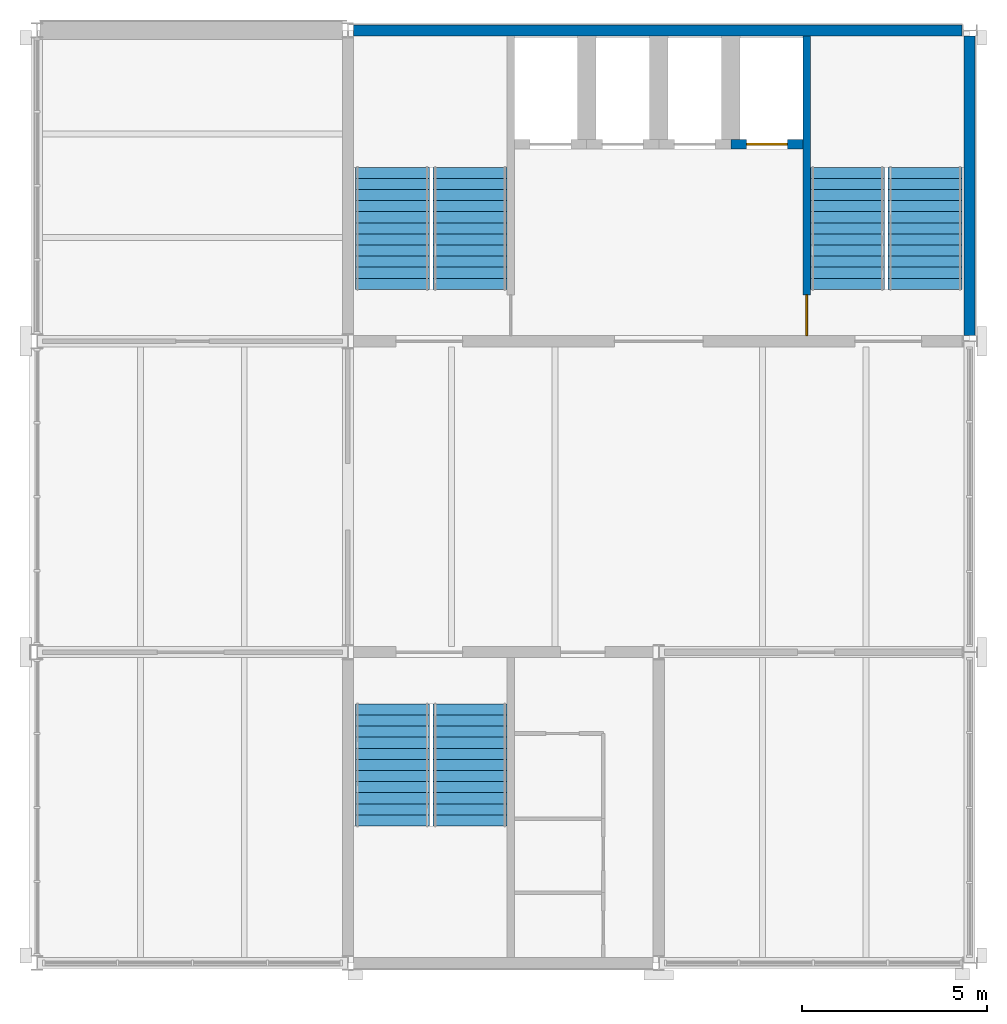
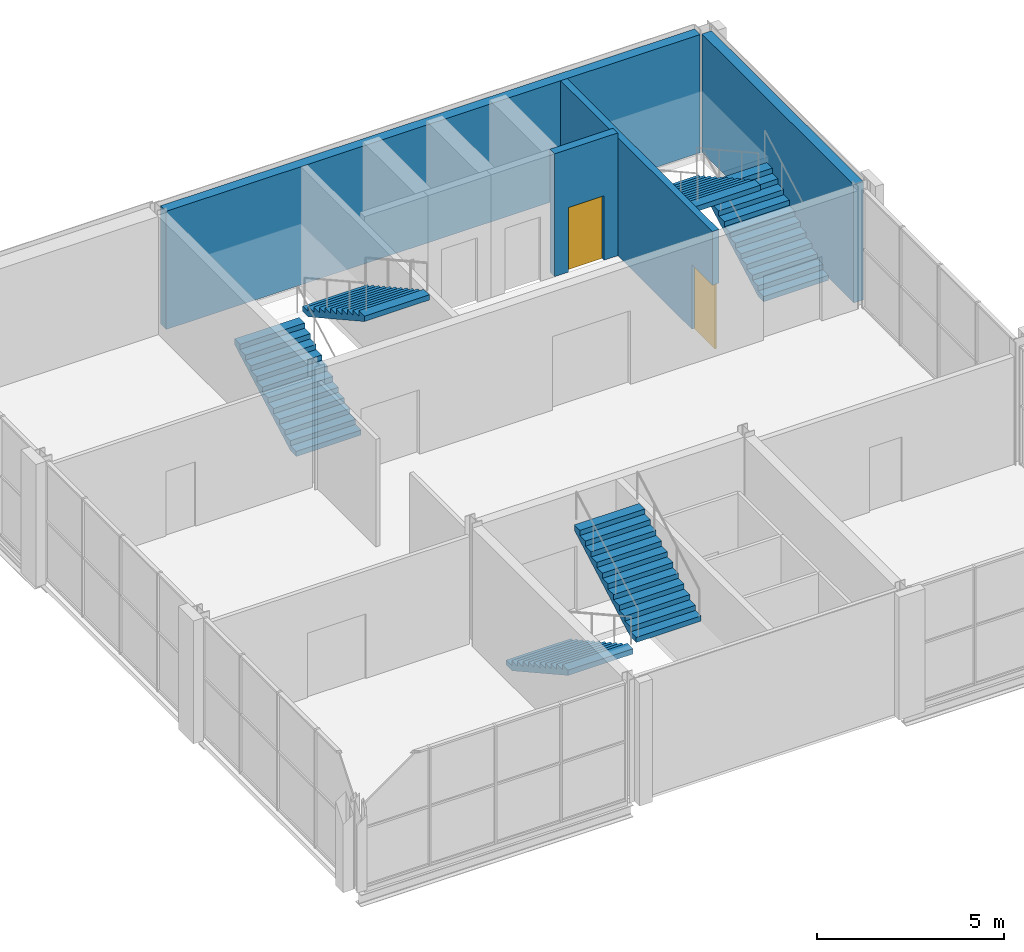
# One storey, part 7 of 8: 6 stair flights, 4 walls, 2 doors, 2 openings, 3 elements without a shape of their own.
"""IFC4 building model written with IfcOpenShell, lengths in metres."""

import ifcopenshell
import ifcopenshell.guid

model = None  # the IFC model being written
_history = None  # IfcOwnerHistory: only IFC2X3 demands one
_inside = {}  # id of a spatial element -> (the spatial element, [elements in it])
_under = {}  # id of a project, library or spatial element -> (it, [spatial elements below it])
_declared = {}  # id of a project -> (the project, [libraries it declares])
_typed = {}  # id of a type object -> (the type object, [elements of that type])
_made_of = {}  # id of a material, layer set ... -> (it, [elements and type objects made of it])


def new_model(schema):
    """Start an empty IFC model of exactly this schema.

    Asked for "IFC4X3", IfcOpenShell would pick the latest addendum, in which some entities
    have other attributes; the version numbers below select the first issue.
    IFC2X3 requires an IfcOwnerHistory on every rooted entity: one is made here for all.
    """
    global model, _history
    if schema == "IFC4X3":
        model = ifcopenshell.file(schema_version=(4, 3, 0, 0))
    else:
        model = ifcopenshell.file(schema=schema)
    _inside.clear()
    _under.clear()
    _declared.clear()
    _typed.clear()
    _made_of.clear()
    _history = None
    if model.schema == "IFC2X3":
        org = make("IfcOrganization", Name="unknown")
        user = make(
            "IfcPersonAndOrganization",
            ThePerson=make("IfcPerson", FamilyName="unknown"),
            TheOrganization=org,
        )
        app = make(
            "IfcApplication",
            ApplicationDeveloper=org,
            Version="unknown",
            ApplicationFullName="unknown",
            ApplicationIdentifier="unknown",
        )
        _history = make(
            "IfcOwnerHistory",
            OwningUser=user,
            OwningApplication=app,
            ChangeAction="ADDED",
            CreationDate=0,
        )
    return model


def make(cls, **values):
    """One entity of the class cls with the attributes given. An attribute that is None is left unset."""
    return model.create_entity(
        cls, **{name: value for name, value in values.items() if value is not None}
    )


def rooted(cls, **values):
    """An entity with a GlobalId (a new one), such as an element, a storey or a relation."""
    return make(cls, GlobalId=ifcopenshell.guid.new(), OwnerHistory=_history, **values)


def si_unit(unit_type, name, prefix=None):
    """IfcSIUnit, for example si_unit("LENGTHUNIT", "METRE", prefix="MILLI")."""
    return make("IfcSIUnit", UnitType=unit_type, Prefix=prefix, Name=name)


def assignment(units):
    """IfcUnitAssignment: the units of a project."""
    return None if units is None else make("IfcUnitAssignment", Units=units)


def point(xyz):
    """IfcCartesianPoint."""
    return None if xyz is None else make("IfcCartesianPoint", Coordinates=xyz)


def direction(xyz):
    """IfcDirection."""
    return None if xyz is None else make("IfcDirection", DirectionRatios=xyz)


def frame(location, z_axis=None, x_axis=None):
    """IfcAxis2Placement3D, a coordinate frame: its origin and axes. An axis left out is left unset."""
    return make(
        "IfcAxis2Placement3D",
        Location=point(location),
        Axis=direction(z_axis),
        RefDirection=direction(x_axis),
    )


def frame_2d(location, x_axis=None):
    """IfcAxis2Placement2D, a coordinate frame in the plane: its origin and x axis."""
    return make(
        "IfcAxis2Placement2D", Location=point(location), RefDirection=direction(x_axis)
    )


def origin():
    """The frame at (0, 0, 0) with its axes left unset."""
    return frame((0.0, 0.0, 0.0))


def place(relative_to, where):
    """IfcLocalPlacement: puts the frame where relative to a parent placement (None: the world)."""
    return make(
        "IfcLocalPlacement", PlacementRelTo=relative_to, RelativePlacement=where
    )


def context(
    kind, dimensions, precision=None, world=None, true_north=None, identifier=None
):
    """IfcGeometricRepresentationContext, for example the 3D "Model" context."""
    return make(
        "IfcGeometricRepresentationContext",
        ContextIdentifier=identifier,
        ContextType=kind,
        CoordinateSpaceDimension=dimensions,
        Precision=precision,
        WorldCoordinateSystem=world,
        TrueNorth=true_north,
    )


def subcontext(parent, identifier, kind, view, scale=None):
    """IfcGeometricRepresentationSubContext, for example "Body" below "Model"."""
    return make(
        "IfcGeometricRepresentationSubContext",
        ContextIdentifier=identifier,
        ContextType=kind,
        ParentContext=parent,
        TargetScale=scale,
        TargetView=view,
    )


def project(units=None, contexts=None):
    """IfcProject with its units and contexts."""
    return rooted(
        "IfcProject",
        Name="project",
        RepresentationContexts=contexts,
        UnitsInContext=assignment(units),
    )


def spatial(cls, under=None, at=None, **own):
    """A site, building, storey or space (cls), placed at a placement, below another one or the project."""
    s = rooted(cls, ObjectPlacement=at, **own)
    if under is not None:
        _under.setdefault(under.id(), (under, []))[1].append(s)
    return s


def polyline(points):
    """IfcPolyline through the points."""
    return make("IfcPolyline", Points=[point(p) for p in points])


def profile(cls, at=None, kind="AREA", **sizes):
    """A parametric profile (cls). Its sizes go by their IFC names, for example OverallWidth=200.0."""
    return make(cls, ProfileType=kind, Position=at, **sizes)


def rectangle(**sizes):
    """IfcRectangleProfileDef."""
    return profile("IfcRectangleProfileDef", **sizes)


def outline(outer, holes=None, kind="AREA"):
    """IfcArbitraryClosedProfileDef: a profile drawn as a closed curve; with holes, ...WithVoids."""
    if holes is None:
        return make("IfcArbitraryClosedProfileDef", ProfileType=kind, OuterCurve=outer)
    return make(
        "IfcArbitraryProfileDefWithVoids",
        ProfileType=kind,
        OuterCurve=outer,
        InnerCurves=holes,
    )


def extrude(swept, where, along, depth):
    """IfcExtrudedAreaSolid: the profile swept, set in the frame where, extruded along a direction by depth."""
    return make(
        "IfcExtrudedAreaSolid",
        SweptArea=swept,
        Position=where,
        ExtrudedDirection=direction(along),
        Depth=depth,
    )


def shape(context_of_items, identifier, shape_type, items):
    """IfcShapeRepresentation: the items that make up one representation, for example the "Body"."""
    return make(
        "IfcShapeRepresentation",
        ContextOfItems=context_of_items,
        RepresentationIdentifier=identifier,
        RepresentationType=shape_type,
        Items=items,
    )


def material(Name=None, Category=None):
    """IfcMaterial."""
    return make("IfcMaterial", Name=Name, Category=Category)


def layer(
    of_material, thickness, ventilated=None, Name=None, Category=None, Priority=None
):
    """IfcMaterialLayer: one layer of a wall or slab, of a material (None: an air gap)."""
    return make(
        "IfcMaterialLayer",
        Material=of_material,
        LayerThickness=thickness,
        IsVentilated=ventilated,
        Name=Name,
        Category=Category,
        Priority=Priority,
    )


def layer_set(layers, Name=None):
    """IfcMaterialLayerSet."""
    return make("IfcMaterialLayerSet", MaterialLayers=layers, LayerSetName=Name)


def made_of(thing, what):
    """Note that an element or type object is made of a material, layer set ...; save() writes the relation."""
    if what is not None:
        _made_of.setdefault(what.id(), (what, []))[1].append(thing)
    return thing


def type_object(cls, material=None, **own):
    """A type object (cls), such as IfcWallType, which elements share."""
    return made_of(rooted(cls, **own), material)


def element(
    cls,
    number,
    at=None,
    inside=None,
    cuts=None,
    type_object=None,
    material=None,
    context=None,
    identifier="Body",
    shape_type=None,
    held_by="IfcProductDefinitionShape",
    body=None,
    shapes=None,
    **own,
):
    """One element of the class cls, such as IfcWall. Its Tag is "e" and its number.

    at: its placement. inside: the storey or other place that contains it. cuts: it is an
    opening in that element (IfcRelVoidsElement). A single representation is given by context,
    identifier, shape_type and body (its items); several are given by shapes. held_by: the class
    of the entity that holds the representations. save() writes the other relations.
    """
    e = rooted(cls, Tag="e%d" % number, ObjectPlacement=at, **own)
    if body is not None:
        shapes = [shape(context, identifier, shape_type, body)]
    if shapes is not None:
        e.Representation = make(held_by, Representations=shapes)
    if inside is not None:
        _inside.setdefault(inside.id(), (inside, []))[1].append(e)
    if cuts is not None:
        rooted(
            "IfcRelVoidsElement", RelatingBuildingElement=cuts, RelatedOpeningElement=e
        )
    if type_object is not None:
        _typed.setdefault(type_object.id(), (type_object, []))[1].append(e)
    return made_of(e, material)


def fill(opening, filler):
    """IfcRelFillsElement: the door or window that sits in an opening."""
    return rooted(
        "IfcRelFillsElement",
        RelatingOpeningElement=opening,
        RelatedBuildingElement=filler,
    )


def aggregate(whole, parts):
    """IfcRelAggregates: a whole, such as a stair, and the parts it consists of."""
    return rooted("IfcRelAggregates", RelatingObject=whole, RelatedObjects=parts)


def save(model, path):
    """Write the relations noted so far, then the file.

    IfcRelAggregates (storeys below a building ...), IfcRelContainedInSpatialStructure (elements
    in a storey), IfcRelDefinesByType, IfcRelAssociatesMaterial and IfcRelDeclares: one each for
    every whole, place, type object, material and project.
    """
    for whole, parts in _under.values():
        aggregate(whole, parts)
    for where, things in _inside.values():
        rooted(
            "IfcRelContainedInSpatialStructure",
            RelatedElements=things,
            RelatingStructure=where,
        )
    for kind, things in _typed.values():
        rooted("IfcRelDefinesByType", RelatedObjects=things, RelatingType=kind)
    for what, things in _made_of.values():
        rooted("IfcRelAssociatesMaterial", RelatedObjects=things, RelatingMaterial=what)
    for by, libraries in _declared.values():
        rooted("IfcRelDeclares", RelatingContext=by, RelatedDefinitions=libraries)
    model.write(path)


model = new_model("IFC4")

# Units and contexts
model_context = context("Model", 3, precision=1e-05, world=origin(), true_north=direction((0.0, 1.0)))
body_context = subcontext(model_context, "Body", "Model", "MODEL_VIEW")
ifc_project = project(units=[si_unit("LENGTHUNIT", "METRE"), si_unit("AREAUNIT", "SQUARE_METRE"), si_unit("VOLUMEUNIT", "CUBIC_METRE"), si_unit("PLANEANGLEUNIT", "RADIAN"), si_unit("MASSUNIT", "GRAM", prefix="KILO")], contexts=[model_context])

# Site, building, storey
site_placement = place(None, origin())
site = spatial("IfcSite", under=ifc_project, at=site_placement, CompositionType="ELEMENT")
building_placement = place(site_placement, origin())
building = spatial("IfcBuilding", under=site, at=building_placement, Name="Galleria Vessillo Department Store", CompositionType="ELEMENT")
storey_placement = place(building_placement, frame((0.0, 0.0, 51.60009765625)))
storey = spatial("IfcBuildingStorey", under=building, at=storey_placement, Name="L11", CompositionType="ELEMENT", Elevation=51.60009765625)

# Wall, opening, door
ifc_material_1 = material(Name="Solid clay block masonry", Category="masonry")
ifc_layer_1 = layer(ifc_material_1, 0.25)
ifc_layer_set_1 = layer_set([ifc_layer_1], Name="Solid clay block masonry")
wall_type_1 = type_object("IfcWallType", Name="Lift shaft wall 250 mm", PredefinedType="SOLIDWALL", material=ifc_layer_set_1)
wall_1_placement = place(storey_placement, frame((111.14990234375, 59.925048828125, 0.0), z_axis=(0.0, 0.0, 1.0), x_axis=(1.0, 0.0, 0.0)))
wall_1 = element("IfcWall", 1, at=wall_1_placement, inside=storey, type_object=wall_type_1, Name="Lift shaft wall T4 landing side L11", PredefinedType="SOLIDWALL", context=body_context, shape_type="SweptSolid", body=[
    extrude(rectangle(XDim=1.9501953125, YDim=0.25, at=frame_2d((0.97509765625, 0.0))), origin(), (0.0, 0.0, 1.0), 4.0),
])
opening_1_placement = place(wall_1_placement, frame((0.425048828125, 0.0, 0.0)))
opening_1 = element("IfcOpeningElement", 2, at=opening_1_placement, cuts=wall_1, Name="Opening LD120", PredefinedType="OPENING", context=body_context, shape_type="SweptSolid", body=[
    extrude(rectangle(XDim=1.10009765625, YDim=2.10009765625, at=frame_2d((0.550048828125, 1.050048828125))), frame((0.0, 0.135009765625, 0.0), z_axis=(0.0, -1.0, 0.0), x_axis=(1.0, 0.0, 0.0)), (0.0, 0.0, 1.0), 0.27001953125),
])
ifc_material_2 = material(Name="Stainless steel lift door panel", Category="steel")
door_type_1 = type_object("IfcDoorType", Name="Lift landing door LD110 sliding 1100 x 2100", OperationType="SLIDING_TO_LEFT", PredefinedType="DOOR", material=ifc_material_2)
door_1_placement = place(opening_1_placement, frame((1.10009765625, 0.0, 0.0), z_axis=(0.0, 0.0, 1.0), x_axis=(-1.0, 0.0, 0.0)))
door_1 = element("IfcDoor", 3, at=door_1_placement, inside=storey, type_object=door_type_1, Name="Lift landing door T4 L11", OperationType="SLIDING_TO_LEFT", OverallHeight=2.10009765625, OverallWidth=1.10009765625, PredefinedType="DOOR", context=body_context, shape_type="SweptSolid", body=[
    extrude(rectangle(XDim=1.10009765625, YDim=2.10009765625, at=frame_2d((0.550048828125, 1.050048828125))), frame((0.0, 0.02490234375, 0.0), z_axis=(0.0, -1.0, 0.0), x_axis=(1.0, 0.0, 0.0)), (0.0, 0.0, 1.0), 0.050048828125),
])
fill(opening_1, door_1)

# Walls
ifc_material_3 = material(Name="Concrete C32/40 reinforced", Category="concrete")
ifc_layer_2 = layer(ifc_material_3, 0.300048828125)
ifc_layer_set_2 = layer_set([ifc_layer_2], Name="Concrete C32/40 reinforced")
wall_type_2 = type_object("IfcWallType", Name="Reinforced concrete core wall 300 mm, external", PredefinedType="SHEAR", material=ifc_layer_set_2)
wall_2_placement = place(storey_placement, frame((100.949951171875, 63.0, 0.0), z_axis=(0.0, 0.0, 1.0), x_axis=(1.0, 0.0, 0.0)))
element("IfcWall", 4, at=wall_2_placement, inside=storey, type_object=wall_type_2, Name="S-CW-TC-PARTY-L11", PredefinedType="SHEAR", context=body_context, shape_type="SweptSolid", body=[
    extrude(rectangle(XDim=16.4501953125, YDim=0.300048828125, at=frame_2d((8.22509765625, 0.0))), origin(), (0.0, 0.0, 1.0), 3.85009765625),
])
wall_3_placement = place(storey_placement, frame((117.60009765625, 54.75, 0.0), z_axis=(0.0, 0.0, 1.0), x_axis=(0.0, 1.0, 0.0)))
element("IfcWall", 5, at=wall_3_placement, inside=storey, type_object=wall_type_2, Name="S-CW-TC-EAST-L11", PredefinedType="SHEAR", context=body_context, shape_type="SweptSolid", body=[
    extrude(rectangle(XDim=8.10009765625, YDim=0.300048828125, at=frame_2d((4.050048828125, 0.0))), origin(), (0.0, 0.0, 1.0), 3.85009765625),
])

# Wall, opening, door
ifc_material_4 = material(Name="Concrete C32/40 reinforced", Category="concrete")
ifc_layer_3 = layer(ifc_material_4, 0.199951171875)
ifc_layer_set_3 = layer_set([ifc_layer_3], Name="Concrete C32/40 reinforced")
wall_type_3 = type_object("IfcWallType", Name="Reinforced concrete stair enclosure wall 200 mm", PredefinedType="SHEAR", material=ifc_layer_set_3)
wall_4_placement = place(storey_placement, frame((113.199951171875, 62.85009765625, 0.0), z_axis=(0.0, 0.0, 1.0), x_axis=(0.0, -1.0, 0.0)))
wall_4 = element("IfcWall", 6, at=wall_4_placement, inside=storey, type_object=wall_type_3, Name="Stair enclosure wall TC L11", PredefinedType="SHEAR", context=body_context, shape_type="SweptSolid", body=[
    extrude(rectangle(XDim=8.10009765625, YDim=0.199951171875, at=frame_2d((4.050048828125, 0.0))), origin(), (0.0, 0.0, 1.0), 3.849853515625),
])
opening_2_placement = place(wall_4_placement, frame((7.0, 0.0, 0.0)))
opening_2 = element("IfcOpeningElement", 7, at=opening_2_placement, cuts=wall_4, Name="Opening D5296", PredefinedType="OPENING", context=body_context, shape_type="SweptSolid", body=[
    extrude(rectangle(XDim=1.11009765625, YDim=2.10009765625, at=frame_2d((0.554931640625, 1.050048828125))), frame((0.0, 0.10986328125, 0.0), z_axis=(0.0, -1.0, 0.0), x_axis=(1.0, 0.0, 0.0)), (0.0, 0.0, 1.0), 0.219970703125),
])
ifc_material_5 = material(Name="Fire-rated steel door leaf", Category="steel")
door_type_2 = type_object("IfcDoorType", Name="Door D110F stair door 1100 x 2100", OperationType="SINGLE_SWING_LEFT", PredefinedType="DOOR", material=ifc_material_5)
door_2_placement = place(opening_2_placement, origin())
door_2 = element("IfcDoor", 8, at=door_2_placement, inside=storey, type_object=door_type_2, Name="Stair door TC-ST9-LOBBY L11", OperationType="SINGLE_SWING_RIGHT", OverallHeight=2.10009765625, OverallWidth=1.10009765625, PredefinedType="DOOR", context=body_context, shape_type="SweptSolid", body=[
    extrude(rectangle(XDim=1.10009765625, YDim=2.10009765625, at=frame_2d((0.550048828125, 1.050048828125))), frame((0.0, 0.02490234375, 0.0), z_axis=(0.0, -1.0, 0.0), x_axis=(1.0, 0.0, 0.0)), (0.0, 0.0, 1.0), 0.050048828125),
])
fill(opening_2, door_2)

# Stair, stair flights
ifc_material_6 = material(Name="Concrete C32/40", Category="concrete")
stair_type = type_object("IfcStairType", Name="Half-turn escape stair 2000 mm, 24 risers of 167 mm", PredefinedType="HALF_TURN_STAIR", material=ifc_material_6)
stair_1_placement = place(storey_placement, origin())
stair_1 = element("IfcStair", 9, at=stair_1_placement, inside=storey, type_object=stair_type, Name="Stair ST8 L11", PredefinedType="HALF_TURN_STAIR")
ifc_material_7 = material(Name="Concrete C32/40", Category="concrete")
stair_flight_type = type_object("IfcStairFlightType", Name="Stair flight 2000 mm, 12 risers of 167 mm", PredefinedType="STRAIGHT", material=ifc_material_7)
stair_flight_1_placement = place(storey_placement, frame((102.0, 55.99951171875, 0.0), z_axis=(0.0, 0.0, 1.0), x_axis=(0.0, 1.0, 0.0)))
stair_flight_1 = element("IfcStairFlight", 10, at=stair_flight_1_placement, type_object=stair_flight_type, Name="ST8 flight 1", NumberOfRisers=12, NumberOfTreads=11, PredefinedType="STRAIGHT", RiserHeight=0.166666667, TreadLength=0.3, context=body_context, shape_type="SweptSolid", body=[
    extrude(outline(polyline([(0.0, 0.0), (0.0, 0.166748046875), (0.300048828125, 0.166748046875), (0.300048828125, 0.333251953125), (0.60009765625, 0.333251953125), (0.60009765625, 0.5), (0.89990234375, 0.5), (0.89990234375, 0.666748046875), (1.199951171875, 0.666748046875), (1.199951171875, 0.833251953125), (1.5, 0.833251953125), (1.5, 1.0), (1.800048828125, 1.0), (1.800048828125, 1.166748046875), (2.10009765625, 1.166748046875), (2.10009765625, 1.333251953125), (2.39990234375, 1.333251953125), (2.39990234375, 1.5), (2.699951171875, 1.5), (2.699951171875, 1.666748046875), (3.0, 1.666748046875), (3.0, 1.833251953125), (3.300048828125, 1.833251953125), (3.300048828125, 2.0), (3.300048828125, 1.661865234375), (0.30859375, 0.0), (0.0, 0.0)])), frame((0.0, 1.0, 0.0), z_axis=(0.0, -1.0, 0.0), x_axis=(1.0, 0.0, 0.0)), (0.0, 0.0, 1.0), 2.0),
])
stair_flight_2_placement = place(storey_placement, frame((104.10009765625, 59.299560546875, 2.0), z_axis=(0.0, 0.0, 1.0), x_axis=(0.0, -1.0, 0.0)))
stair_flight_2 = element("IfcStairFlight", 11, at=stair_flight_2_placement, type_object=stair_flight_type, Name="ST8 flight 2", NumberOfRisers=12, NumberOfTreads=11, PredefinedType="STRAIGHT", RiserHeight=0.166666667, TreadLength=0.3, context=body_context, shape_type="SweptSolid", body=[
    extrude(outline(polyline([(0.0, 0.0), (0.0, 0.166748046875), (0.300048828125, 0.166748046875), (0.300048828125, 0.333251953125), (0.60009765625, 0.333251953125), (0.60009765625, 0.5), (0.89990234375, 0.5), (0.89990234375, 0.666748046875), (1.199951171875, 0.666748046875), (1.199951171875, 0.833251953125), (1.5, 0.833251953125), (1.5, 1.0), (1.800048828125, 1.0), (1.800048828125, 1.166748046875), (2.10009765625, 1.166748046875), (2.10009765625, 1.333251953125), (2.39990234375, 1.333251953125), (2.39990234375, 1.5), (2.699951171875, 1.5), (2.699951171875, 1.666748046875), (3.0, 1.666748046875), (3.0, 1.833251953125), (3.300048828125, 1.833251953125), (3.300048828125, 2.0), (3.300048828125, 1.661865234375), (0.30859375, 0.0), (0.0, 0.0)])), frame((0.0, 1.0, 0.0), z_axis=(0.0, -1.0, 0.0), x_axis=(1.0, 0.0, 0.0)), (0.0, 0.0, 1.0), 2.0),
])
aggregate(stair_1, [stair_flight_1, stair_flight_2])

stair_2_placement = place(storey_placement, origin())
stair_2 = element("IfcStair", 12, at=stair_2_placement, inside=storey, type_object=stair_type, Name="Stair ST9 L11", PredefinedType="HALF_TURN_STAIR")
stair_flight_3_placement = place(storey_placement, frame((116.39990234375, 55.99951171875, 0.0), z_axis=(0.0, 0.0, 1.0), x_axis=(0.0, 1.0, 0.0)))
stair_flight_3 = element("IfcStairFlight", 13, at=stair_flight_3_placement, type_object=stair_flight_type, Name="ST9 flight 1", NumberOfRisers=12, NumberOfTreads=11, PredefinedType="STRAIGHT", RiserHeight=0.166666667, TreadLength=0.3, context=body_context, shape_type="SweptSolid", body=[
    extrude(outline(polyline([(0.0, 0.0), (0.0, 0.166748046875), (0.300048828125, 0.166748046875), (0.300048828125, 0.333251953125), (0.60009765625, 0.333251953125), (0.60009765625, 0.5), (0.89990234375, 0.5), (0.89990234375, 0.666748046875), (1.199951171875, 0.666748046875), (1.199951171875, 0.833251953125), (1.5, 0.833251953125), (1.5, 1.0), (1.800048828125, 1.0), (1.800048828125, 1.166748046875), (2.10009765625, 1.166748046875), (2.10009765625, 1.333251953125), (2.39990234375, 1.333251953125), (2.39990234375, 1.5), (2.699951171875, 1.5), (2.699951171875, 1.666748046875), (3.0, 1.666748046875), (3.0, 1.833251953125), (3.300048828125, 1.833251953125), (3.300048828125, 2.0), (3.300048828125, 1.661865234375), (0.30859375, 0.0), (0.0, 0.0)])), frame((0.0, 1.0, 0.0), z_axis=(0.0, -1.0, 0.0), x_axis=(1.0, 0.0, 0.0)), (0.0, 0.0, 1.0), 2.0),
])
stair_flight_4_placement = place(storey_placement, frame((114.300048828125, 59.299560546875, 2.0), z_axis=(0.0, 0.0, 1.0), x_axis=(0.0, -1.0, 0.0)))
stair_flight_4 = element("IfcStairFlight", 14, at=stair_flight_4_placement, type_object=stair_flight_type, Name="ST9 flight 2", NumberOfRisers=12, NumberOfTreads=11, PredefinedType="STRAIGHT", RiserHeight=0.166666667, TreadLength=0.3, context=body_context, shape_type="SweptSolid", body=[
    extrude(outline(polyline([(0.0, 0.0), (0.0, 0.166748046875), (0.300048828125, 0.166748046875), (0.300048828125, 0.333251953125), (0.60009765625, 0.333251953125), (0.60009765625, 0.5), (0.89990234375, 0.5), (0.89990234375, 0.666748046875), (1.199951171875, 0.666748046875), (1.199951171875, 0.833251953125), (1.5, 0.833251953125), (1.5, 1.0), (1.800048828125, 1.0), (1.800048828125, 1.166748046875), (2.10009765625, 1.166748046875), (2.10009765625, 1.333251953125), (2.39990234375, 1.333251953125), (2.39990234375, 1.5), (2.699951171875, 1.5), (2.699951171875, 1.666748046875), (3.0, 1.666748046875), (3.0, 1.833251953125), (3.300048828125, 1.833251953125), (3.300048828125, 2.0), (3.300048828125, 1.661865234375), (0.30859375, 0.0), (0.0, 0.0)])), frame((0.0, 1.0, 0.0), z_axis=(0.0, -1.0, 0.0), x_axis=(1.0, 0.0, 0.0)), (0.0, 0.0, 1.0), 2.0),
])
aggregate(stair_2, [stair_flight_3, stair_flight_4])

stair_3_placement = place(storey_placement, origin())
stair_3 = element("IfcStair", 15, at=stair_3_placement, inside=storey, type_object=stair_type, Name="Stair ST12 L11", PredefinedType="HALF_TURN_STAIR")
stair_flight_5_placement = place(storey_placement, frame((102.0, 44.800537109375, 0.0), z_axis=(0.0, 0.0, 1.0), x_axis=(0.0, -1.0, 0.0)))
stair_flight_5 = element("IfcStairFlight", 16, at=stair_flight_5_placement, type_object=stair_flight_type, Name="ST12 flight 1", NumberOfRisers=12, NumberOfTreads=11, PredefinedType="STRAIGHT", RiserHeight=0.166666667, TreadLength=0.3, context=body_context, shape_type="SweptSolid", body=[
    extrude(outline(polyline([(0.0, 0.0), (0.0, 0.166748046875), (0.300048828125, 0.166748046875), (0.300048828125, 0.333251953125), (0.60009765625, 0.333251953125), (0.60009765625, 0.5), (0.89990234375, 0.5), (0.89990234375, 0.666748046875), (1.199951171875, 0.666748046875), (1.199951171875, 0.833251953125), (1.5, 0.833251953125), (1.5, 1.0), (1.800048828125, 1.0), (1.800048828125, 1.166748046875), (2.10009765625, 1.166748046875), (2.10009765625, 1.333251953125), (2.39990234375, 1.333251953125), (2.39990234375, 1.5), (2.699951171875, 1.5), (2.699951171875, 1.666748046875), (3.0, 1.666748046875), (3.0, 1.833251953125), (3.300048828125, 1.833251953125), (3.300048828125, 2.0), (3.300048828125, 1.661865234375), (0.30859375, 0.0), (0.0, 0.0)])), frame((0.0, 1.0, 0.0), z_axis=(0.0, -1.0, 0.0), x_axis=(1.0, 0.0, 0.0)), (0.0, 0.0, 1.0), 2.0),
])
stair_flight_6_placement = place(storey_placement, frame((104.10009765625, 41.50048828125, 2.0), z_axis=(0.0, 0.0, 1.0), x_axis=(0.0, 1.0, 0.0)))
stair_flight_6 = element("IfcStairFlight", 17, at=stair_flight_6_placement, type_object=stair_flight_type, Name="ST12 flight 2", NumberOfRisers=12, NumberOfTreads=11, PredefinedType="STRAIGHT", RiserHeight=0.166666667, TreadLength=0.3, context=body_context, shape_type="SweptSolid", body=[
    extrude(outline(polyline([(0.0, 0.0), (0.0, 0.166748046875), (0.300048828125, 0.166748046875), (0.300048828125, 0.333251953125), (0.60009765625, 0.333251953125), (0.60009765625, 0.5), (0.89990234375, 0.5), (0.89990234375, 0.666748046875), (1.199951171875, 0.666748046875), (1.199951171875, 0.833251953125), (1.5, 0.833251953125), (1.5, 1.0), (1.800048828125, 1.0), (1.800048828125, 1.166748046875), (2.10009765625, 1.166748046875), (2.10009765625, 1.333251953125), (2.39990234375, 1.333251953125), (2.39990234375, 1.5), (2.699951171875, 1.5), (2.699951171875, 1.666748046875), (3.0, 1.666748046875), (3.0, 1.833251953125), (3.300048828125, 1.833251953125), (3.300048828125, 2.0), (3.300048828125, 1.661865234375), (0.30859375, 0.0), (0.0, 0.0)])), frame((0.0, 1.0, 0.0), z_axis=(0.0, -1.0, 0.0), x_axis=(1.0, 0.0, 0.0)), (0.0, 0.0, 1.0), 2.0),
])
aggregate(stair_3, [stair_flight_5, stair_flight_6])

save(model, "model.ifc")
